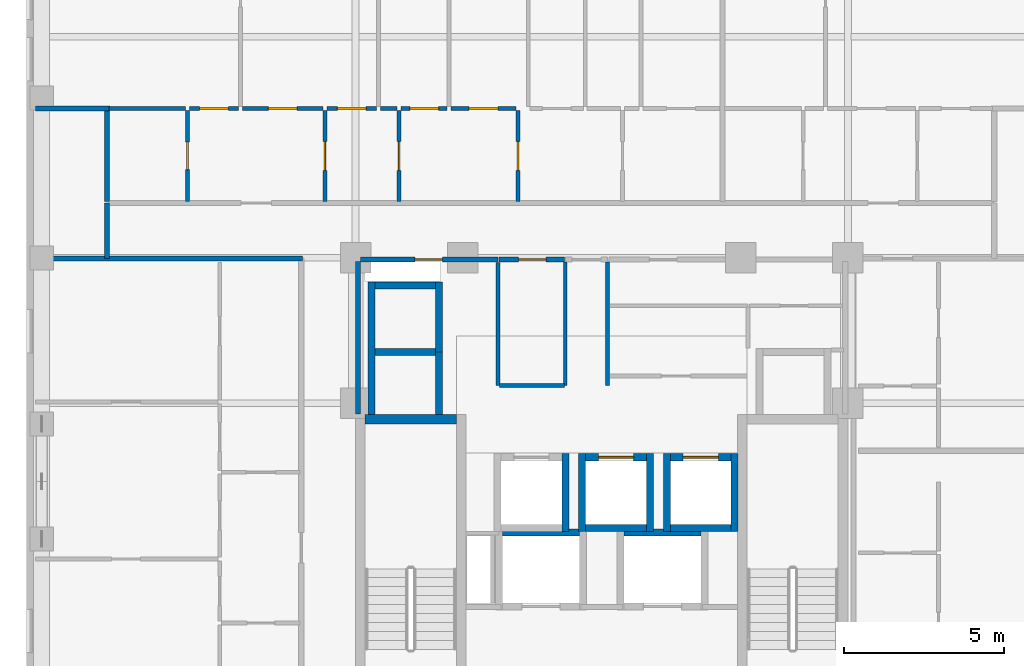
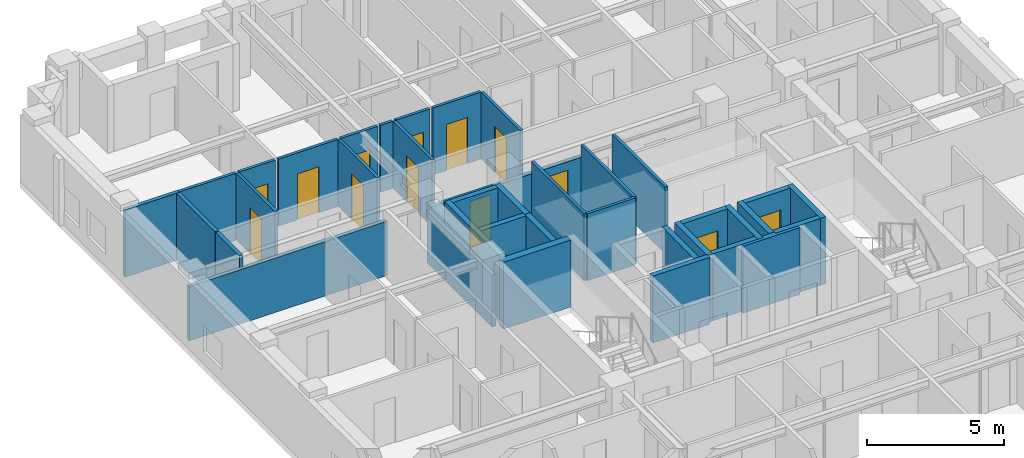
# One storey, part 5 of 11: 39 walls, 13 doors, 13 openings.
"""IFC4 building model written with IfcOpenShell, lengths in metres."""

from ifc_helpers import new_model, si_unit, derived_unit, direction, frame, frame_2d, origin, place, context, subcontext, project, spatial, rectangle, extrude, material, layer, layer_set, type_object, element, fill, save


model = new_model("IFC4")

# Units and contexts
model_context = context("Model", 3, precision=1e-05, world=origin(), true_north=direction((0.0, 1.0)))
body_context = subcontext(model_context, "Body", "Model", "MODEL_VIEW")
ifc_project = project(units=[si_unit("LENGTHUNIT", "METRE"), si_unit("AREAUNIT", "SQUARE_METRE"), si_unit("VOLUMEUNIT", "CUBIC_METRE"), si_unit("PLANEANGLEUNIT", "RADIAN"), si_unit("MASSUNIT", "GRAM", prefix="KILO"), derived_unit("THERMALTRANSMITTANCEUNIT", [(si_unit("MASSUNIT", "GRAM", prefix="KILO"), 1), (si_unit("TIMEUNIT", "SECOND"), -3), (si_unit("THERMODYNAMICTEMPERATUREUNIT", "KELVIN"), -1)])], contexts=[model_context])

# Site, building, storey
site_placement = place(None, origin())
site = spatial("IfcSite", under=ifc_project, at=site_placement, CompositionType="ELEMENT")
building_placement = place(site_placement, origin())
building = spatial("IfcBuilding", under=site, at=building_placement, Name="Korrvale Station Residences", CompositionType="ELEMENT")
storey_placement = place(building_placement, frame((0.0, 0.0, 137.39990234375)))
storey = spatial("IfcBuildingStorey", under=building, at=storey_placement, Name="L39", CompositionType="ELEMENT", Elevation=137.39990234375)

# Walls
ifc_material_1 = material(Name="Concrete C60/75", Category="concrete")
ifc_layer_1 = layer(ifc_material_1, 0.300048828125, Name="Concrete C60/75")
ifc_layer_set_1 = layer_set([ifc_layer_1], Name="Concrete C60/75")
wall_type_1 = type_object("IfcWallType", Name="WAL-CORE-300-C60", PredefinedType="SHEAR", material=ifc_layer_set_1)
wall_1_placement = place(storey_placement, frame((18.10009765625, 23.949951171875, 0.0), z_axis=(0.0, 0.0, 1.0), x_axis=(1.0, 0.0, 0.0)))
element("IfcWall", 1, at=wall_1_placement, inside=storey, type_object=wall_type_1, Name="L39 ST-1 Core Shear Wall North", PredefinedType="SHEAR", context=body_context, shape_type="SweptSolid", body=[
    extrude(rectangle(XDim=2.849853515625, YDim=0.300048828125, at=frame_2d((1.4248046875, 0.0))), origin(), (0.0, 0.0, 1.0), 2.989990234375),
])
ifc_material_2 = material(Name="Acoustic steel-stud gypsum board partition", Category="steel")
ifc_layer_2 = layer(ifc_material_2, 0.1201171875, Name="Acoustic steel-stud gypsum board partition")
ifc_layer_set_2 = layer_set([ifc_layer_2], Name="Acoustic steel-stud gypsum board partition")
wall_type_2 = type_object("IfcWallType", Name="WAL-PART-125", PredefinedType="PARTITIONING", material=ifc_layer_set_2)
for number, where, z_axis, x_axis, name in (
    (2, (24.360107421875, 25.0, 0.0), (0.0, 0.0, 1.0), (0.0, 1.0, 0.0), "L39 Core Partition CW-PSG-W"),
    (3, (25.679931640625, 25.0, 0.0), (0.0, 0.0, 1.0), (0.0, 1.0, 0.0), "L39 Core Partition CW-PSG-E"),
):
    element("IfcWall", number, at=place(storey_placement, frame(where, z_axis=z_axis, x_axis=x_axis)), inside=storey, type_object=wall_type_2, Name=name, PredefinedType="PARTITIONING", context=body_context, shape_type="SweptSolid", body=[
        extrude(rectangle(XDim=3.8701171875, YDim=0.1201171875, at=frame_2d((1.93505859375, 0.0))), origin(), (0.0, 0.0, 1.0), 2.989990234375),
    ])
wall_2_placement = place(storey_placement, frame((22.260009765625, 25.0, 0.0), z_axis=(0.0, 0.0, 1.0), x_axis=(0.0, 1.0, 0.0)))
element("IfcWall", 4, at=wall_2_placement, inside=storey, type_object=wall_type_2, Name="L39 Core Partition CW-FPLW-W", PredefinedType="PARTITIONING", context=body_context, shape_type="SweptSolid", body=[
    extrude(rectangle(XDim=3.860107421875, YDim=0.1201171875, at=frame_2d((1.93017578125, 0.0))), origin(), (0.0, 0.0, 1.0), 2.989990234375),
])
wall_3_placement = place(storey_placement, frame((22.300048828125, 25.0, 0.0), z_axis=(0.0, 0.0, 1.0), x_axis=(1.0, 0.0, 0.0)))
element("IfcWall", 5, at=wall_3_placement, inside=storey, type_object=wall_type_2, Name="L39 Core Partition CW-FPLW-S", PredefinedType="PARTITIONING", context=body_context, shape_type="SweptSolid", body=[
    extrude(rectangle(XDim=2.0400390625, YDim=0.1201171875, at=frame_2d((1.02001953125, 0.0))), origin(), (0.0, 0.0, 1.0), 2.989990234375),
])

# Wall, opening, door
wall_4_placement = place(storey_placement, frame((12.5400390625, 30.760009765625, 0.0), z_axis=(0.0, 0.0, 1.0), x_axis=(0.0, 1.0, 0.0)))
wall_4 = element("IfcWall", 6, at=wall_4_placement, inside=storey, type_object=wall_type_2, Name="L39 Suite Partition U04-V01", PredefinedType="PARTITIONING", context=body_context, shape_type="SweptSolid", body=[
    extrude(rectangle(XDim=2.85009765625, YDim=0.1201171875, at=frame_2d((1.425048828125, 0.0))), origin(), (0.0, 0.0, 1.0), 2.989990234375),
])
opening_1_placement = place(wall_4_placement, frame((0.9951171875, 0.0, 0.0)))
opening_1 = element("IfcOpeningElement", 7, at=opening_1_placement, cuts=wall_4, Name="Opening DB-860", PredefinedType="OPENING", context=body_context, shape_type="SweptSolid", body=[
    extrude(rectangle(XDim=0.860107421875, YDim=2.050048828125, at=frame_2d((0.43017578125, 1.02490234375))), frame((0.0, 0.070068359375, 0.0), z_axis=(0.0, -1.0, 0.0), x_axis=(1.0, 0.0, 0.0)), (0.0, 0.0, 1.0), 0.14013671875),
])
ifc_material_3 = material(Name="Moisture-resistant solid-core bathroom door", Category="timber")
door_type_1 = type_object("IfcDoorType", Name="DR-BATH-860", OperationType="NOTDEFINED", PredefinedType="DOOR", material=ifc_material_3)
door_1_placement = place(opening_1_placement, origin())
door_1 = element("IfcDoor", 8, at=door_1_placement, inside=storey, type_object=door_type_1, Name="L39 Apartment 2BR L39-U04 Bathroom Door", OperationType="SINGLE_SWING_LEFT", OverallHeight=2.050048828125, OverallWidth=0.860107421875, PredefinedType="DOOR", context=body_context, shape_type="SweptSolid", body=[
    extrude(rectangle(XDim=0.860107421875, YDim=2.050048828125, at=frame_2d((0.43017578125, 1.02490234375))), frame((0.0, 0.02490234375, 0.0), z_axis=(0.0, -1.0, 0.0), x_axis=(1.0, 0.0, 0.0)), (0.0, 0.0, 1.0), 0.050048828125),
])
fill(opening_1, door_1)

# Wall
wall_5_placement = place(storey_placement, frame((10.080078125, 33.669921875, 0.0), z_axis=(0.0, 0.0, 1.0), x_axis=(1.0, 0.0, 0.0)))
element("IfcWall", 9, at=wall_5_placement, inside=storey, type_object=wall_type_2, Name="L39 Suite Partition U04-H06", PredefinedType="PARTITIONING", context=body_context, shape_type="SweptSolid", body=[
    extrude(rectangle(XDim=2.39990234375, YDim=0.1201171875, at=frame_2d((1.199951171875, 0.0))), origin(), (0.0, 0.0, 1.0), 2.989990234375),
])

# Wall, opening, door
wall_6_placement = place(storey_placement, frame((16.840087890625, 30.760009765625, 0.0), z_axis=(0.0, 0.0, 1.0), x_axis=(0.0, 1.0, 0.0)))
wall_6 = element("IfcWall", 10, at=wall_6_placement, inside=storey, type_object=wall_type_2, Name="L39 Suite Partition U04-V12", PredefinedType="PARTITIONING", context=body_context, shape_type="SweptSolid", body=[
    extrude(rectangle(XDim=2.85009765625, YDim=0.1201171875, at=frame_2d((1.425048828125, 0.0))), origin(), (0.0, 0.0, 1.0), 2.989990234375),
])
opening_2_placement = place(wall_6_placement, frame((0.97509765625, 0.0, 0.0)))
opening_2 = element("IfcOpeningElement", 11, at=opening_2_placement, cuts=wall_6, Name="Opening DI-900", PredefinedType="OPENING", context=body_context, shape_type="SweptSolid", body=[
    extrude(rectangle(XDim=0.89990234375, YDim=2.050048828125, at=frame_2d((0.449951171875, 1.02490234375))), frame((0.0, 0.070068359375, 0.0), z_axis=(0.0, -1.0, 0.0), x_axis=(1.0, 0.0, 0.0)), (0.0, 0.0, 1.0), 0.14013671875),
])
ifc_material_4 = material(Name="Painted solid-core timber interior room door", Category="wood")
door_type_2 = type_object("IfcDoorType", Name="DR-INT-900", OperationType="NOTDEFINED", PredefinedType="DOOR", material=ifc_material_4)
door_2_placement = place(opening_2_placement, origin())
door_2 = element("IfcDoor", 12, at=door_2_placement, inside=storey, type_object=door_type_2, Name="L39 Apartment 2BR L39-U04 Kitchen Door", OperationType="SINGLE_SWING_RIGHT", OverallHeight=2.050048828125, OverallWidth=0.89990234375, PredefinedType="DOOR", context=body_context, shape_type="SweptSolid", body=[
    extrude(rectangle(XDim=0.89990234375, YDim=2.050048828125, at=frame_2d((0.449951171875, 1.02490234375))), frame((0.0, 0.02490234375, 0.0), z_axis=(0.0, -1.0, 0.0), x_axis=(1.0, 0.0, 0.0)), (0.0, 0.0, 1.0), 0.050048828125),
])
fill(opening_2, door_2)

wall_7_placement = place(storey_placement, frame((12.60009765625, 33.669921875, 0.0), z_axis=(0.0, 0.0, 1.0), x_axis=(1.0, 0.0, 0.0)))
wall_7 = element("IfcWall", 13, at=wall_7_placement, inside=storey, type_object=wall_type_2, Name="L39 Suite Partition U04-H16", PredefinedType="PARTITIONING", context=body_context, shape_type="SweptSolid", body=[
    extrude(rectangle(XDim=1.539794921875, YDim=0.1201171875, at=frame_2d((0.77001953125, 0.0))), origin(), (0.0, 0.0, 1.0), 2.989990234375),
])
opening_3_placement = place(wall_7_placement, frame((0.320068359375, 0.0, 0.0)))
opening_3 = element("IfcOpeningElement", 14, at=opening_3_placement, cuts=wall_7, Name="Opening DI-900", PredefinedType="OPENING", context=body_context, shape_type="SweptSolid", body=[
    extrude(rectangle(XDim=0.89990234375, YDim=2.050048828125, at=frame_2d((0.449951171875, 1.02490234375))), frame((0.0, 0.070068359375, 0.0), z_axis=(0.0, -1.0, 0.0), x_axis=(1.0, 0.0, 0.0)), (0.0, 0.0, 1.0), 0.14013671875),
])
door_3_placement = place(opening_3_placement, origin())
door_3 = element("IfcDoor", 15, at=door_3_placement, inside=storey, type_object=door_type_2, Name="L39 Apartment 2BR L39-U04 Kitchen Door", OperationType="SINGLE_SWING_LEFT", OverallHeight=2.050048828125, OverallWidth=0.89990234375, PredefinedType="DOOR", context=body_context, shape_type="SweptSolid", body=[
    extrude(rectangle(XDim=0.89990234375, YDim=2.050048828125, at=frame_2d((0.449951171875, 1.02490234375))), frame((0.0, 0.02490234375, 0.0), z_axis=(0.0, -1.0, 0.0), x_axis=(1.0, 0.0, 0.0)), (0.0, 0.0, 1.0), 0.050048828125),
])
fill(opening_3, door_3)

wall_8_placement = place(storey_placement, frame((14.260009765625, 33.669921875, 0.0), z_axis=(0.0, 0.0, 1.0), x_axis=(1.0, 0.0, 0.0)))
wall_8 = element("IfcWall", 16, at=wall_8_placement, inside=storey, type_object=wall_type_2, Name="L39 Suite Partition U04-H17", PredefinedType="PARTITIONING", context=body_context, shape_type="SweptSolid", body=[
    extrude(rectangle(XDim=2.52001953125, YDim=0.1201171875, at=frame_2d((1.260009765625, 0.0))), origin(), (0.0, 0.0, 1.0), 2.989990234375),
])
opening_4_placement = place(wall_8_placement, frame((0.81005859375, 0.0, 0.0)))
opening_4 = element("IfcOpeningElement", 17, at=opening_4_placement, cuts=wall_8, Name="Opening DI-900", PredefinedType="OPENING", context=body_context, shape_type="SweptSolid", body=[
    extrude(rectangle(XDim=0.89990234375, YDim=2.050048828125, at=frame_2d((0.449951171875, 1.02490234375))), frame((0.0, 0.070068359375, 0.0), z_axis=(0.0, -1.0, 0.0), x_axis=(1.0, 0.0, 0.0)), (0.0, 0.0, 1.0), 0.14013671875),
])
door_4_placement = place(opening_4_placement, origin())
door_4 = element("IfcDoor", 18, at=door_4_placement, inside=storey, type_object=door_type_2, Name="L39 Apartment 2BR L39-U04 Kitchen Door", OperationType="SINGLE_SWING_RIGHT", OverallHeight=2.050048828125, OverallWidth=0.89990234375, PredefinedType="DOOR", context=body_context, shape_type="SweptSolid", body=[
    extrude(rectangle(XDim=0.89990234375, YDim=2.050048828125, at=frame_2d((0.449951171875, 1.02490234375))), frame((0.0, 0.02490234375, 0.0), z_axis=(0.0, -1.0, 0.0), x_axis=(1.0, 0.0, 0.0)), (0.0, 0.0, 1.0), 0.050048828125),
])
fill(opening_4, door_4)

wall_9_placement = place(storey_placement, frame((19.159912109375, 30.760009765625, 0.0), z_axis=(0.0, 0.0, 1.0), x_axis=(0.0, 1.0, 0.0)))
wall_9 = element("IfcWall", 19, at=wall_9_placement, inside=storey, type_object=wall_type_2, Name="L39 Suite Partition U04-V23", PredefinedType="PARTITIONING", context=body_context, shape_type="SweptSolid", body=[
    extrude(rectangle(XDim=2.85009765625, YDim=0.1201171875, at=frame_2d((1.425048828125, 0.0))), origin(), (0.0, 0.0, 1.0), 2.989990234375),
])
opening_5_placement = place(wall_9_placement, frame((0.97509765625, 0.0, 0.0)))
opening_5 = element("IfcOpeningElement", 20, at=opening_5_placement, cuts=wall_9, Name="Opening DI-900", PredefinedType="OPENING", context=body_context, shape_type="SweptSolid", body=[
    extrude(rectangle(XDim=0.89990234375, YDim=2.050048828125, at=frame_2d((0.449951171875, 1.02490234375))), frame((0.0, 0.070068359375, 0.0), z_axis=(0.0, -1.0, 0.0), x_axis=(1.0, 0.0, 0.0)), (0.0, 0.0, 1.0), 0.14013671875),
])
door_5_placement = place(opening_5_placement, origin())
door_5 = element("IfcDoor", 21, at=door_5_placement, inside=storey, type_object=door_type_2, Name="L39 Apartment 2BR L39-U04 Wardrobe Storage Room Door", OperationType="SINGLE_SWING_LEFT", OverallHeight=2.050048828125, OverallWidth=0.89990234375, PredefinedType="DOOR", context=body_context, shape_type="SweptSolid", body=[
    extrude(rectangle(XDim=0.89990234375, YDim=2.050048828125, at=frame_2d((0.449951171875, 1.02490234375))), frame((0.0, 0.02490234375, 0.0), z_axis=(0.0, -1.0, 0.0), x_axis=(1.0, 0.0, 0.0)), (0.0, 0.0, 1.0), 0.050048828125),
])
fill(opening_5, door_5)

wall_10_placement = place(storey_placement, frame((16.89990234375, 33.669921875, 0.0), z_axis=(0.0, 0.0, 1.0), x_axis=(1.0, 0.0, 0.0)))
wall_10 = element("IfcWall", 22, at=wall_10_placement, inside=storey, type_object=wall_type_2, Name="L39 Suite Partition U04-H27", PredefinedType="PARTITIONING", context=body_context, shape_type="SweptSolid", body=[
    extrude(rectangle(XDim=1.56005859375, YDim=0.1201171875, at=frame_2d((0.780029296875, 0.0))), origin(), (0.0, 0.0, 1.0), 2.989990234375),
])
opening_6_placement = place(wall_10_placement, frame((0.330078125, 0.0, 0.0)))
opening_6 = element("IfcOpeningElement", 23, at=opening_6_placement, cuts=wall_10, Name="Opening DI-900", PredefinedType="OPENING", context=body_context, shape_type="SweptSolid", body=[
    extrude(rectangle(XDim=0.89990234375, YDim=2.050048828125, at=frame_2d((0.449951171875, 1.02490234375))), frame((0.0, 0.070068359375, 0.0), z_axis=(0.0, -1.0, 0.0), x_axis=(1.0, 0.0, 0.0)), (0.0, 0.0, 1.0), 0.14013671875),
])
door_6_placement = place(opening_6_placement, origin())
door_6 = element("IfcDoor", 24, at=door_6_placement, inside=storey, type_object=door_type_2, Name="L39 Apartment 2BR L39-U04 Wardrobe Storage Room Door", OperationType="SINGLE_SWING_RIGHT", OverallHeight=2.050048828125, OverallWidth=0.89990234375, PredefinedType="DOOR", context=body_context, shape_type="SweptSolid", body=[
    extrude(rectangle(XDim=0.89990234375, YDim=2.050048828125, at=frame_2d((0.449951171875, 1.02490234375))), frame((0.0, 0.02490234375, 0.0), z_axis=(0.0, -1.0, 0.0), x_axis=(1.0, 0.0, 0.0)), (0.0, 0.0, 1.0), 0.050048828125),
])
fill(opening_6, door_6)

# Wall
wall_11_placement = place(storey_placement, frame((18.580078125, 33.669921875, 0.0), z_axis=(0.0, 0.0, 1.0), x_axis=(1.0, 0.0, 0.0)))
element("IfcWall", 25, at=wall_11_placement, inside=storey, type_object=wall_type_2, Name="L39 Suite Partition U04-H28", PredefinedType="PARTITIONING", context=body_context, shape_type="SweptSolid", body=[
    extrude(rectangle(XDim=0.52001953125, YDim=0.1201171875, at=frame_2d((0.260009765625, 0.0))), origin(), (0.0, 0.0, 1.0), 2.989990234375),
])

# Wall, opening, door
wall_12_placement = place(storey_placement, frame((22.8798828125, 30.760009765625, 0.0), z_axis=(0.0, 0.0, 1.0), x_axis=(0.0, 1.0, 0.0)))
wall_12 = element("IfcWall", 26, at=wall_12_placement, inside=storey, type_object=wall_type_2, Name="L39 Suite Partition U04-V34", PredefinedType="PARTITIONING", context=body_context, shape_type="SweptSolid", body=[
    extrude(rectangle(XDim=2.85009765625, YDim=0.1201171875, at=frame_2d((1.425048828125, 0.0))), origin(), (0.0, 0.0, 1.0), 2.989990234375),
])
opening_7_placement = place(wall_12_placement, frame((0.97509765625, 0.0, 0.0)))
opening_7 = element("IfcOpeningElement", 27, at=opening_7_placement, cuts=wall_12, Name="Opening DI-900", PredefinedType="OPENING", context=body_context, shape_type="SweptSolid", body=[
    extrude(rectangle(XDim=0.89990234375, YDim=2.050048828125, at=frame_2d((0.449951171875, 1.02490234375))), frame((0.0, 0.070068359375, 0.0), z_axis=(0.0, -1.0, 0.0), x_axis=(1.0, 0.0, 0.0)), (0.0, 0.0, 1.0), 0.14013671875),
])
door_7_placement = place(opening_7_placement, origin())
door_7 = element("IfcDoor", 28, at=door_7_placement, inside=storey, type_object=door_type_2, Name="L39 Apartment 2BR L39-U04 Utility and Laundry Room Door", OperationType="SINGLE_SWING_LEFT", OverallHeight=2.050048828125, OverallWidth=0.89990234375, PredefinedType="DOOR", context=body_context, shape_type="SweptSolid", body=[
    extrude(rectangle(XDim=0.89990234375, YDim=2.050048828125, at=frame_2d((0.449951171875, 1.02490234375))), frame((0.0, 0.02490234375, 0.0), z_axis=(0.0, -1.0, 0.0), x_axis=(1.0, 0.0, 0.0)), (0.0, 0.0, 1.0), 0.050048828125),
])
fill(opening_7, door_7)

wall_13_placement = place(storey_placement, frame((19.219970703125, 33.669921875, 0.0), z_axis=(0.0, 0.0, 1.0), x_axis=(1.0, 0.0, 0.0)))
wall_13 = element("IfcWall", 29, at=wall_13_placement, inside=storey, type_object=wall_type_2, Name="L39 Suite Partition U04-H38", PredefinedType="PARTITIONING", context=body_context, shape_type="SweptSolid", body=[
    extrude(rectangle(XDim=1.447021484375, YDim=0.1201171875, at=frame_2d((0.7236328125, 0.0))), origin(), (0.0, 0.0, 1.0), 2.989990234375),
])
opening_8_placement = place(wall_13_placement, frame((0.27392578125, 0.0, 0.0)))
opening_8 = element("IfcOpeningElement", 30, at=opening_8_placement, cuts=wall_13, Name="Opening DI-900", PredefinedType="OPENING", context=body_context, shape_type="SweptSolid", body=[
    extrude(rectangle(XDim=0.89990234375, YDim=2.050048828125, at=frame_2d((0.449951171875, 1.02490234375))), frame((0.0, 0.070068359375, 0.0), z_axis=(0.0, -1.0, 0.0), x_axis=(1.0, 0.0, 0.0)), (0.0, 0.0, 1.0), 0.14013671875),
])
door_8_placement = place(opening_8_placement, origin())
door_8 = element("IfcDoor", 31, at=door_8_placement, inside=storey, type_object=door_type_2, Name="L39 Apartment 2BR L39-U04 Utility and Laundry Room Door", OperationType="SINGLE_SWING_RIGHT", OverallHeight=2.050048828125, OverallWidth=0.89990234375, PredefinedType="DOOR", context=body_context, shape_type="SweptSolid", body=[
    extrude(rectangle(XDim=0.89990234375, YDim=2.050048828125, at=frame_2d((0.449951171875, 1.02490234375))), frame((0.0, 0.02490234375, 0.0), z_axis=(0.0, -1.0, 0.0), x_axis=(1.0, 0.0, 0.0)), (0.0, 0.0, 1.0), 0.050048828125),
])
fill(opening_8, door_8)

wall_14_placement = place(storey_placement, frame((20.787109375, 33.669921875, 0.0), z_axis=(0.0, 0.0, 1.0), x_axis=(1.0, 0.0, 0.0)))
wall_14 = element("IfcWall", 32, at=wall_14_placement, inside=storey, type_object=wall_type_2, Name="L39 Suite Partition U04-H39", PredefinedType="PARTITIONING", context=body_context, shape_type="SweptSolid", body=[
    extrude(rectangle(XDim=2.032958984375, YDim=0.1201171875, at=frame_2d((1.0166015625, 0.0))), origin(), (0.0, 0.0, 1.0), 2.989990234375),
])
opening_9_placement = place(wall_14_placement, frame((0.56689453125, 0.0, 0.0)))
opening_9 = element("IfcOpeningElement", 33, at=opening_9_placement, cuts=wall_14, Name="Opening DI-900", PredefinedType="OPENING", context=body_context, shape_type="SweptSolid", body=[
    extrude(rectangle(XDim=0.89990234375, YDim=2.050048828125, at=frame_2d((0.449951171875, 1.02490234375))), frame((0.0, 0.070068359375, 0.0), z_axis=(0.0, -1.0, 0.0), x_axis=(1.0, 0.0, 0.0)), (0.0, 0.0, 1.0), 0.14013671875),
])
door_9_placement = place(opening_9_placement, origin())
door_9 = element("IfcDoor", 34, at=door_9_placement, inside=storey, type_object=door_type_2, Name="L39 Apartment 2BR L39-U04 Utility and Laundry Room Door", OperationType="SINGLE_SWING_LEFT", OverallHeight=2.050048828125, OverallWidth=0.89990234375, PredefinedType="DOOR", context=body_context, shape_type="SweptSolid", body=[
    extrude(rectangle(XDim=0.89990234375, YDim=2.050048828125, at=frame_2d((0.449951171875, 1.02490234375))), frame((0.0, 0.02490234375, 0.0), z_axis=(0.0, -1.0, 0.0), x_axis=(1.0, 0.0, 0.0)), (0.0, 0.0, 1.0), 0.050048828125),
])
fill(opening_9, door_9)

# Wall
ifc_material_5 = material(Name="Fire-rated twin-stud gypsum and mineral wool shaftwall assembly", Category="gypsum")
ifc_layer_3 = layer(ifc_material_5, 0.159912109375, Name="Fire-rated twin-stud gypsum and mineral wool shaftwall assembly")
ifc_layer_set_3 = layer_set([ifc_layer_3], Name="Fire-rated twin-stud gypsum and mineral wool shaftwall assembly")
wall_type_3 = type_object("IfcWallType", Name="WAL-PART-200", PredefinedType="PARTITIONING", material=ifc_layer_set_3)
wall_15_placement = place(storey_placement, frame((17.8798828125, 24.1201171875, 0.0), z_axis=(0.0, 0.0, 1.0), x_axis=(0.0, 1.0, 0.0)))
element("IfcWall", 35, at=wall_15_placement, inside=storey, type_object=wall_type_3, Name="L39 Core Partition CW-W-N", PredefinedType="PARTITIONING", context=body_context, shape_type="SweptSolid", body=[
    extrude(rectangle(XDim=4.759765625, YDim=0.159912109375, at=frame_2d((2.3798828125, 0.0))), origin(), (0.0, 0.0, 1.0), 2.3251953125),
])

# Wall, opening, door
wall_16_placement = place(storey_placement, frame((17.9599609375, 28.949951171875, 0.0), z_axis=(0.0, 0.0, 1.0), x_axis=(1.0, 0.0, 0.0)))
wall_16 = element("IfcWall", 36, at=wall_16_placement, inside=storey, type_object=wall_type_3, Name="L39 Core Partition CW-NW", PredefinedType="PARTITIONING", context=body_context, shape_type="SweptSolid", body=[
    extrude(rectangle(XDim=4.2900390625, YDim=0.159912109375, at=frame_2d((2.14501953125, 0.0))), origin(), (0.0, 0.0, 1.0), 2.426025390625),
])
opening_10_placement = place(wall_16_placement, frame((1.695068359375, 0.0, 0.0)))
opening_10 = element("IfcOpeningElement", 37, at=opening_10_placement, cuts=wall_16, Name="Opening DB-860", PredefinedType="OPENING", context=body_context, shape_type="SweptSolid", body=[
    extrude(rectangle(XDim=0.860107421875, YDim=2.050048828125, at=frame_2d((0.43017578125, 1.02490234375))), frame((0.0, 0.08984375, 0.0), z_axis=(0.0, -1.0, 0.0), x_axis=(1.0, 0.0, 0.0)), (0.0, 0.0, 1.0), 0.179931640625),
])
door_10_placement = place(opening_10_placement, origin())
door_10 = element("IfcDoor", 38, at=door_10_placement, inside=storey, type_object=door_type_1, Name="L39 Electrical Riser Access Door", OperationType="SINGLE_SWING_RIGHT", OverallHeight=2.050048828125, OverallWidth=0.860107421875, PredefinedType="DOOR", context=body_context, shape_type="SweptSolid", body=[
    extrude(rectangle(XDim=0.860107421875, YDim=2.050048828125, at=frame_2d((0.43017578125, 1.02490234375))), frame((0.0, 0.02490234375, 0.0), z_axis=(0.0, -1.0, 0.0), x_axis=(1.0, 0.0, 0.0)), (0.0, 0.0, 1.0), 0.050048828125),
])
fill(opening_10, door_10)

wall_17_placement = place(storey_placement, frame((22.280029296875, 28.949951171875, 0.0), z_axis=(0.0, 0.0, 1.0), x_axis=(1.0, 0.0, 0.0)))
wall_17 = element("IfcWall", 39, at=wall_17_placement, inside=storey, type_object=wall_type_3, Name="L39 Core Partition CW-FPLW-N", PredefinedType="PARTITIONING", context=body_context, shape_type="SweptSolid", body=[
    extrude(rectangle(XDim=2.06005859375, YDim=0.159912109375, at=frame_2d((1.030029296875, 0.0))), origin(), (0.0, 0.0, 1.0), 2.426025390625),
])
opening_11_placement = place(wall_17_placement, frame((0.6201171875, 0.0, 0.0)))
opening_11 = element("IfcOpeningElement", 40, at=opening_11_placement, cuts=wall_17, Name="Opening DB-860", PredefinedType="OPENING", context=body_context, shape_type="SweptSolid", body=[
    extrude(rectangle(XDim=0.860107421875, YDim=2.050048828125, at=frame_2d((0.43017578125, 1.02490234375))), frame((0.0, 0.08984375, 0.0), z_axis=(0.0, -1.0, 0.0), x_axis=(1.0, 0.0, 0.0)), (0.0, 0.0, 1.0), 0.179931640625),
])
door_11_placement = place(opening_11_placement, origin())
door_11 = element("IfcDoor", 41, at=door_11_placement, inside=storey, type_object=door_type_1, Name="L39 Resident Parcel Room Door", OperationType="SINGLE_SWING_RIGHT", OverallHeight=2.050048828125, OverallWidth=0.860107421875, PredefinedType="DOOR", context=body_context, shape_type="SweptSolid", body=[
    extrude(rectangle(XDim=0.860107421875, YDim=2.050048828125, at=frame_2d((0.43017578125, 1.02490234375))), frame((0.0, 0.02490234375, 0.0), z_axis=(0.0, -1.0, 0.0), x_axis=(1.0, 0.0, 0.0)), (0.0, 0.0, 1.0), 0.050048828125),
])
fill(opening_11, door_11)

# Walls
wall_18_placement = place(storey_placement, frame((10.02001953125, 28.97998046875, 0.0), z_axis=(0.0, 0.0, 1.0), x_axis=(0.0, 1.0, 0.0)))
element("IfcWall", 42, at=wall_18_placement, inside=storey, type_object=wall_type_3, Name="L39 Corridor North West Cap", PredefinedType="PARTITIONING", context=body_context, shape_type="SweptSolid", body=[
    extrude(rectangle(XDim=1.739990234375, YDim=0.159912109375, at=frame_2d((0.8701171875, 0.0))), origin(), (0.0, 0.0, 1.0), 2.989990234375),
])
wall_19_placement = place(storey_placement, frame((7.780029296875, 28.97998046875, 0.0), z_axis=(0.0, 0.0, 1.0), x_axis=(1.0, 0.0, 0.0)))
element("IfcWall", 43, at=wall_19_placement, inside=storey, type_object=wall_type_3, Name="L39 West Wing North Corridor Wall", PredefinedType="PARTITIONING", context=body_context, shape_type="SweptSolid", body=[
    extrude(rectangle(XDim=8.35986328125, YDim=0.159912109375, at=frame_2d((4.179931640625, 0.0))), origin(), (0.0, 0.0, 1.0), 2.426025390625),
])
wall_20_placement = place(storey_placement, frame((7.780029296875, 33.669921875, 0.0), z_axis=(0.0, 0.0, 1.0), x_axis=(1.0, 0.0, 0.0)))
element("IfcWall", 44, at=wall_20_placement, inside=storey, type_object=wall_type_3, Name="L39 Corner Step Wall U04-L", PredefinedType="PARTITIONING", context=body_context, shape_type="SweptSolid", body=[
    extrude(rectangle(XDim=2.340087890625, YDim=0.159912109375, at=frame_2d((1.169921875, 0.0))), origin(), (0.0, 0.0, 1.0), 2.989990234375),
])
wall_21_placement = place(storey_placement, frame((10.02001953125, 30.760009765625, 0.0), z_axis=(0.0, 0.0, 1.0), x_axis=(0.0, 1.0, 0.0)))
element("IfcWall", 45, at=wall_21_placement, inside=storey, type_object=wall_type_3, Name="L39 Corner Step Cheek U04-L", PredefinedType="PARTITIONING", context=body_context, shape_type="SweptSolid", body=[
    extrude(rectangle(XDim=2.909912109375, YDim=0.159912109375, at=frame_2d((1.455078125, 0.0))), origin(), (0.0, 0.0, 1.0), 2.989990234375),
])
ifc_layer_4 = layer(ifc_material_1, 0.219970703125, Name="Concrete C60/75")
ifc_layer_set_4 = layer_set([ifc_layer_4], Name="Concrete C60/75")
wall_type_4 = type_object("IfcWallType", Name="WAL-SHAFT-220-C60", PredefinedType="SHEAR", material=ifc_layer_set_4)
wall_22_placement = place(storey_placement, frame((24.360107421875, 20.429931640625, 0.0), z_axis=(0.0, 0.0, 1.0), x_axis=(0.0, 1.0, 0.0)))
element("IfcWall", 46, at=wall_22_placement, inside=storey, type_object=wall_type_4, Name="L39 Elevator PM-1 Hoistway Wall East", PredefinedType="SHEAR", context=body_context, shape_type="SweptSolid", body=[
    extrude(rectangle(XDim=2.440185546875, YDim=0.219970703125, at=frame_2d((1.22021484375, 0.0))), origin(), (0.0, 0.0, 1.0), 2.989990234375),
])
wall_23_placement = place(storey_placement, frame((25.0, 20.5400390625, 0.0), z_axis=(0.0, 0.0, 1.0), x_axis=(1.0, 0.0, 0.0)))
element("IfcWall", 47, at=wall_23_placement, inside=storey, type_object=wall_type_4, Name="L39 Elevator PM-2 Hoistway Wall South", PredefinedType="SHEAR", context=body_context, shape_type="SweptSolid", body=[
    extrude(rectangle(XDim=1.89990234375, YDim=0.219970703125, at=frame_2d((0.949951171875, 0.0))), origin(), (0.0, 0.0, 1.0), 2.989990234375),
])

# Wall, opening, door
wall_24_placement = place(storey_placement, frame((25.0, 22.760009765625, 0.0), z_axis=(0.0, 0.0, 1.0), x_axis=(1.0, 0.0, 0.0)))
wall_24 = element("IfcWall", 48, at=wall_24_placement, inside=storey, type_object=wall_type_4, Name="L39 Elevator PM-2 Hoistway Wall North", PredefinedType="SHEAR", context=body_context, shape_type="SweptSolid", body=[
    extrude(rectangle(XDim=1.89990234375, YDim=0.219970703125, at=frame_2d((0.949951171875, 0.0))), origin(), (0.0, 0.0, 1.0), 2.989990234375),
])
opening_12_placement = place(wall_24_placement, frame((0.39990234375, 0.0, 0.0)))
opening_12 = element("IfcOpeningElement", 49, at=opening_12_placement, cuts=wall_24, Name="Opening LD-1100", PredefinedType="OPENING", context=body_context, shape_type="SweptSolid", body=[
    extrude(rectangle(XDim=1.10009765625, YDim=2.14990234375, at=frame_2d((0.550048828125, 1.074951171875))), frame((0.0, 0.1201171875, 0.0), z_axis=(0.0, -1.0, 0.0), x_axis=(1.0, 0.0, 0.0)), (0.0, 0.0, 1.0), 0.239990234375),
])
ifc_material_6 = material(Name="Brushed stainless-steel elevator landing sliding door", Category="steel")
door_type_3 = type_object("IfcDoorType", Name="DR-LIFT-1100", OperationType="SLIDING_TO_LEFT", PredefinedType="DOOR", material=ifc_material_6)
door_12_placement = place(opening_12_placement, origin())
door_12 = element("IfcDoor", 50, at=door_12_placement, inside=storey, type_object=door_type_3, Name="L39 Elevator PM-2 Sliding Landing Door", OperationType="SLIDING_TO_LEFT", OverallHeight=2.14990234375, OverallWidth=1.10009765625, PredefinedType="DOOR", context=body_context, shape_type="SweptSolid", body=[
    extrude(rectangle(XDim=1.10009765625, YDim=2.14990234375, at=frame_2d((0.550048828125, 1.074951171875))), frame((0.0, 0.02490234375, 0.0), z_axis=(0.0, -1.0, 0.0), x_axis=(1.0, 0.0, 0.0)), (0.0, 0.0, 1.0), 0.050048828125),
])
fill(opening_12, door_12)

# Walls
for number, where, z_axis, x_axis, name in (
    (51, (24.889892578125, 20.429931640625, 0.0), (0.0, 0.0, 1.0), (0.0, 1.0, 0.0), "L39 Elevator PM-2 Hoistway Wall West"),
    (52, (27.010009765625, 20.429931640625, 0.0), (0.0, 0.0, 1.0), (0.0, 1.0, 0.0), "L39 Elevator PM-2 Hoistway Wall East"),
):
    element("IfcWall", number, at=place(storey_placement, frame(where, z_axis=z_axis, x_axis=x_axis)), inside=storey, type_object=wall_type_4, Name=name, PredefinedType="SHEAR", context=body_context, shape_type="SweptSolid", body=[
        extrude(rectangle(XDim=2.440185546875, YDim=0.219970703125, at=frame_2d((1.22021484375, 0.0))), origin(), (0.0, 0.0, 1.0), 2.989990234375),
    ])
wall_25_placement = place(storey_placement, frame((27.64990234375, 20.5400390625, 0.0), z_axis=(0.0, 0.0, 1.0), x_axis=(1.0, 0.0, 0.0)))
element("IfcWall", 53, at=wall_25_placement, inside=storey, type_object=wall_type_4, Name="L39 Elevator PM-3 Hoistway Wall South", PredefinedType="SHEAR", context=body_context, shape_type="SweptSolid", body=[
    extrude(rectangle(XDim=1.900146484375, YDim=0.219970703125, at=frame_2d((0.9501953125, 0.0))), origin(), (0.0, 0.0, 1.0), 2.989990234375),
])

# Wall, opening, door
wall_26_placement = place(storey_placement, frame((27.64990234375, 22.760009765625, 0.0), z_axis=(0.0, 0.0, 1.0), x_axis=(1.0, 0.0, 0.0)))
wall_26 = element("IfcWall", 54, at=wall_26_placement, inside=storey, type_object=wall_type_4, Name="L39 Elevator PM-3 Hoistway Wall North", PredefinedType="SHEAR", context=body_context, shape_type="SweptSolid", body=[
    extrude(rectangle(XDim=1.900146484375, YDim=0.219970703125, at=frame_2d((0.9501953125, 0.0))), origin(), (0.0, 0.0, 1.0), 2.989990234375),
])
opening_13_placement = place(wall_26_placement, frame((0.39990234375, 0.0, 0.0)))
opening_13 = element("IfcOpeningElement", 55, at=opening_13_placement, cuts=wall_26, Name="Opening LD-1100", PredefinedType="OPENING", context=body_context, shape_type="SweptSolid", body=[
    extrude(rectangle(XDim=1.10009765625, YDim=2.14990234375, at=frame_2d((0.550048828125, 1.074951171875))), frame((0.0, 0.1201171875, 0.0), z_axis=(0.0, -1.0, 0.0), x_axis=(1.0, 0.0, 0.0)), (0.0, 0.0, 1.0), 0.239990234375),
])
door_13_placement = place(opening_13_placement, origin())
door_13 = element("IfcDoor", 56, at=door_13_placement, inside=storey, type_object=door_type_3, Name="L39 Elevator PM-3 Sliding Landing Door", OperationType="SLIDING_TO_LEFT", OverallHeight=2.14990234375, OverallWidth=1.10009765625, PredefinedType="DOOR", context=body_context, shape_type="SweptSolid", body=[
    extrude(rectangle(XDim=1.10009765625, YDim=2.14990234375, at=frame_2d((0.550048828125, 1.074951171875))), frame((0.0, 0.02490234375, 0.0), z_axis=(0.0, -1.0, 0.0), x_axis=(1.0, 0.0, 0.0)), (0.0, 0.0, 1.0), 0.050048828125),
])
fill(opening_13, door_13)

# Walls
for number, where, z_axis, x_axis, name in (
    (57, (27.5400390625, 20.429931640625, 0.0), (0.0, 0.0, 1.0), (0.0, 1.0, 0.0), "L39 Elevator PM-3 Hoistway Wall West"),
    (58, (29.659912109375, 20.429931640625, 0.0), (0.0, 0.0, 1.0), (0.0, 1.0, 0.0), "L39 Elevator PM-3 Hoistway Wall East"),
):
    element("IfcWall", number, at=place(storey_placement, frame(where, z_axis=z_axis, x_axis=x_axis)), inside=storey, type_object=wall_type_4, Name=name, PredefinedType="SHEAR", context=body_context, shape_type="SweptSolid", body=[
        extrude(rectangle(XDim=2.440185546875, YDim=0.219970703125, at=frame_2d((1.22021484375, 0.0))), origin(), (0.0, 0.0, 1.0), 2.989990234375),
    ])
wall_27_placement = place(storey_placement, frame((18.2900390625, 24.10009765625, 0.0), z_axis=(0.0, 0.0, 1.0), x_axis=(0.0, 1.0, 0.0)))
element("IfcWall", 59, at=wall_27_placement, inside=storey, type_object=wall_type_4, Name="L39 Elevator PH-1 Hoistway Wall West", PredefinedType="SHEAR", context=body_context, shape_type="SweptSolid", body=[
    extrude(rectangle(XDim=4.139892578125, YDim=0.219970703125, at=frame_2d((2.06982421875, 0.0))), origin(), (0.0, 0.0, 1.0), 2.989990234375),
])
wall_28_placement = place(storey_placement, frame((20.409912109375, 24.10009765625, 0.0), z_axis=(0.0, 0.0, 1.0), x_axis=(0.0, 1.0, 0.0)))
element("IfcWall", 60, at=wall_28_placement, inside=storey, type_object=wall_type_4, Name="L39 Elevator PH-1 Hoistway Wall East", PredefinedType="SHEAR", context=body_context, shape_type="SweptSolid", body=[
    extrude(rectangle(XDim=1.9599609375, YDim=0.219970703125, at=frame_2d((0.97998046875, 0.0))), origin(), (0.0, 0.0, 1.0), 2.989990234375),
])
for number, where, z_axis, x_axis, name in (
    (61, (18.39990234375, 26.06005859375, 0.0), (0.0, 0.0, 1.0), (1.0, 0.0, 0.0), "L39 Elevator PH-2 Hoistway Wall South"),
    (62, (18.39990234375, 28.1298828125, 0.0), (0.0, 0.0, 1.0), (1.0, 0.0, 0.0), "L39 Elevator PH-2 Hoistway Wall North"),
):
    element("IfcWall", number, at=place(storey_placement, frame(where, z_axis=z_axis, x_axis=x_axis)), inside=storey, type_object=wall_type_4, Name=name, PredefinedType="SHEAR", context=body_context, shape_type="SweptSolid", body=[
        extrude(rectangle(XDim=1.900146484375, YDim=0.219970703125, at=frame_2d((0.9501953125, 0.0))), origin(), (0.0, 0.0, 1.0), 2.989990234375),
    ])
wall_29_placement = place(storey_placement, frame((20.409912109375, 26.06005859375, 0.0), z_axis=(0.0, 0.0, 1.0), x_axis=(0.0, 1.0, 0.0)))
element("IfcWall", 63, at=wall_29_placement, inside=storey, type_object=wall_type_4, Name="L39 Elevator PH-2 Hoistway Wall East", PredefinedType="SHEAR", context=body_context, shape_type="SweptSolid", body=[
    extrude(rectangle(XDim=2.179931640625, YDim=0.219970703125, at=frame_2d((1.08984375, 0.0))), origin(), (0.0, 0.0, 1.0), 2.989990234375),
])
for number, where, z_axis, x_axis, name in (
    (64, (22.39990234375, 20.409912109375, 0.0), (0.0, 0.0, 1.0), (1.0, 0.0, 0.0), "L39 Elevator FFL-1 Hoistway Wall North"),
    (65, (26.199951171875, 20.409912109375, 0.0), (0.0, 0.0, 1.0), (1.0, 0.0, 0.0), "L39 Elevator FFL-2 Hoistway Wall North"),
):
    element("IfcWall", number, at=place(storey_placement, frame(where, z_axis=z_axis, x_axis=x_axis)), inside=storey, type_object=wall_type_4, Name=name, PredefinedType="SHEAR", context=body_context, shape_type="SweptSolid", body=[
        extrude(rectangle(XDim=2.400146484375, YDim=0.219970703125, at=frame_2d((1.2001953125, 0.0))), origin(), (0.0, 0.0, 1.0), 2.989990234375),
    ])

save(model, "model.ifc")
